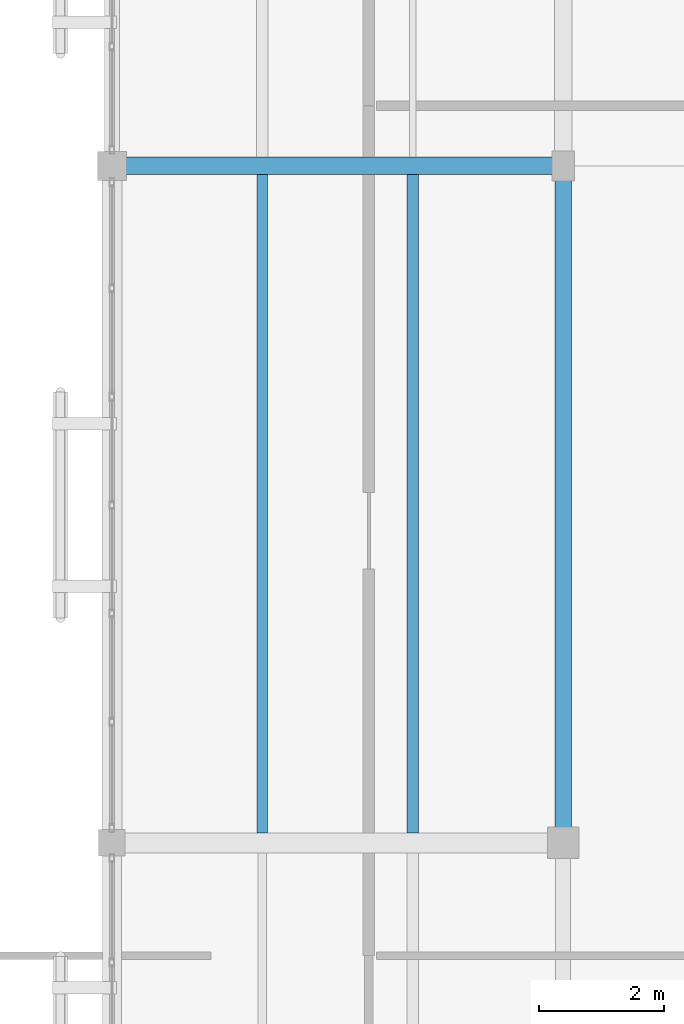
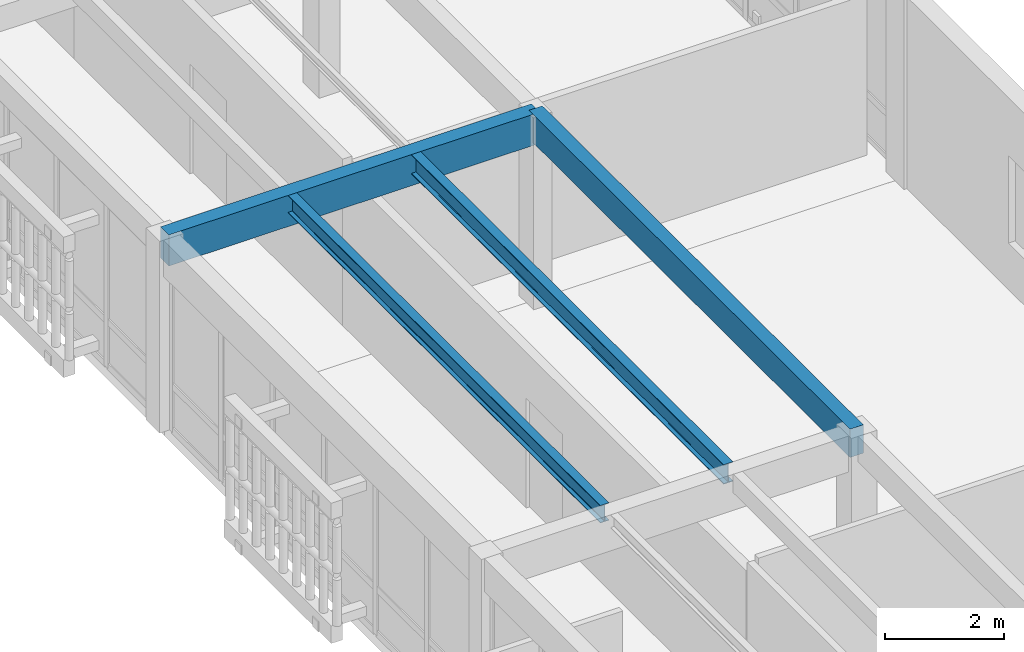
# One storey, part 27 of 61: 4 beams.
"""IFC4 building model written with IfcOpenShell, lengths in metres."""

from ifc_helpers import new_model, si_unit, direction, frame, origin, origin_2d, place, context, subcontext, project, spatial, rectangle, i_section, extrude, material, material_profile, profile_set, type_object, element, save


model = new_model("IFC4")

# Units and contexts
model_context = context("Model", 3, precision=1e-05, world=origin(), true_north=direction((0.0, 1.0)))
body_context = subcontext(model_context, "Body", "Model", "MODEL_VIEW")
ifc_project = project(units=[si_unit("LENGTHUNIT", "METRE"), si_unit("AREAUNIT", "SQUARE_METRE"), si_unit("VOLUMEUNIT", "CUBIC_METRE"), si_unit("PLANEANGLEUNIT", "RADIAN"), si_unit("MASSUNIT", "GRAM", prefix="KILO")], contexts=[model_context])

# Site, building, storey
site_placement = place(None, origin())
site = spatial("IfcSite", under=ifc_project, at=site_placement, CompositionType="ELEMENT")
building_placement = place(site_placement, origin())
building = spatial("IfcBuilding", under=site, at=building_placement, Name="Mazaris Harbour Polytechnic", CompositionType="ELEMENT")
storey_placement = place(building_placement, frame((0.0, 0.0, 18.0)))
storey = spatial("IfcBuildingStorey", under=building, at=storey_placement, Name="L04", CompositionType="ELEMENT", Elevation=18.0)

# Beams
ifc_material_1 = material(Name="Glulam GL32h", Category="wood")
ifc_material_profile_1 = material_profile(ifc_material_1, rectangle(XDim=0.260009765625, YDim=0.580078125, at=origin_2d()), Name="RECT260x580")
ifc_profile_set_1 = profile_set([ifc_material_profile_1], Name="Glulam GL32h")
beam_type_1 = type_object("IfcBeamType", Name="Glulam Girder 260x580 Exterior", PredefinedType="BEAM", material=ifc_profile_set_1)
beam_1_placement = place(storey_placement, frame((36.0, 43.199951171875, 3.64501953125), z_axis=(0.0, 1.0, 0.0), x_axis=(-1.0, 0.0, 0.0)))
element("IfcBeam", 1, at=beam_1_placement, inside=storey, type_object=beam_type_1, Name="V4 L04 Tie Girder 2431", PredefinedType="BEAM", context=body_context, shape_type="SweptSolid", body=[
    extrude(rectangle(XDim=0.260009765625, YDim=0.580078125, at=origin_2d()), origin(), (0.0, 0.0, 1.0), 10.800048828125),
])
ifc_material_2 = material(Name="Glulam GL32h", Category="wood")
ifc_material_profile_2 = material_profile(ifc_material_2, rectangle(XDim=0.280029296875, YDim=0.639892578125, at=origin_2d()), Name="RECT280x640")
ifc_profile_set_2 = profile_set([ifc_material_profile_2], Name="Glulam GL32h")
beam_type_2 = type_object("IfcBeamType", Name="Glulam Girder 280x640", PredefinedType="BEAM", material=ifc_profile_set_2)
beam_2_placement = place(storey_placement, frame((28.800048828125, 54.0, 3.614990234375), z_axis=(1.0, 0.0, 0.0), x_axis=(0.0, 1.0, 0.0)))
element("IfcBeam", 2, at=beam_2_placement, inside=storey, type_object=beam_type_2, Name="V4 L04 Girder 2392", PredefinedType="BEAM", context=body_context, shape_type="SweptSolid", body=[
    extrude(rectangle(XDim=0.280029296875, YDim=0.639892578125, at=origin_2d()), origin(), (0.0, 0.0, 1.0), 7.199951171875),
])
ifc_material_3 = material(Name="Steel S355", Category="steel")
ifc_material_profile_3 = material_profile(ifc_material_3, i_section(OverallWidth=0.169921875, OverallDepth=0.360107421875, WebThickness=0.008056640625, FlangeThickness=0.0126953125, FilletRadius=0.01806640625, at=origin_2d()), Name="IPE 360")
ifc_profile_set_3 = profile_set([ifc_material_profile_3], Name="Steel S355")
beam_type_3 = type_object("IfcBeamType", Name="Steel Joist IPE360", PredefinedType="JOIST", material=ifc_profile_set_3)
beam_3_placement = place(storey_placement, frame((31.199951171875, 43.360107421875, 3.7548828125), z_axis=(0.0, 1.0, 0.0), x_axis=(-1.0, 0.0, 0.0)))
element("IfcBeam", 3, at=beam_3_placement, inside=storey, type_object=beam_type_3, Name="V4 L04 Floor Joist 2482", PredefinedType="JOIST", context=body_context, shape_type="SweptSolid", body=[
    extrude(i_section(OverallWidth=0.169921875, OverallDepth=0.360107421875, WebThickness=0.008056640625, FlangeThickness=0.0126953125, FilletRadius=0.01806640625, at=origin_2d()), origin(), (0.0, 0.0, 1.0), 10.5),
])
ifc_material_4 = material(Name="Steel S355", Category="steel")
ifc_material_profile_4 = material_profile(ifc_material_4, i_section(OverallWidth=0.179931640625, OverallDepth=0.39990234375, WebThickness=0.008544921875, FlangeThickness=0.013427734375, FilletRadius=0.02099609375, at=origin_2d()), Name="IPE 400")
ifc_profile_set_4 = profile_set([ifc_material_profile_4], Name="Steel S355")
beam_type_4 = type_object("IfcBeamType", Name="Steel Joist IPE400", PredefinedType="JOIST", material=ifc_profile_set_4)
beam_4_placement = place(storey_placement, frame((33.60009765625, 43.360107421875, 3.735107421875), z_axis=(0.0, 1.0, 0.0), x_axis=(-1.0, 0.0, 0.0)))
element("IfcBeam", 4, at=beam_4_placement, inside=storey, type_object=beam_type_4, Name="V4 L04 Floor Joist 2483", PredefinedType="JOIST", context=body_context, shape_type="SweptSolid", body=[
    extrude(i_section(OverallWidth=0.179931640625, OverallDepth=0.39990234375, WebThickness=0.008544921875, FlangeThickness=0.013427734375, FilletRadius=0.02099609375, at=origin_2d()), origin(), (0.0, 0.0, 1.0), 10.5),
])

save(model, "model.ifc")
